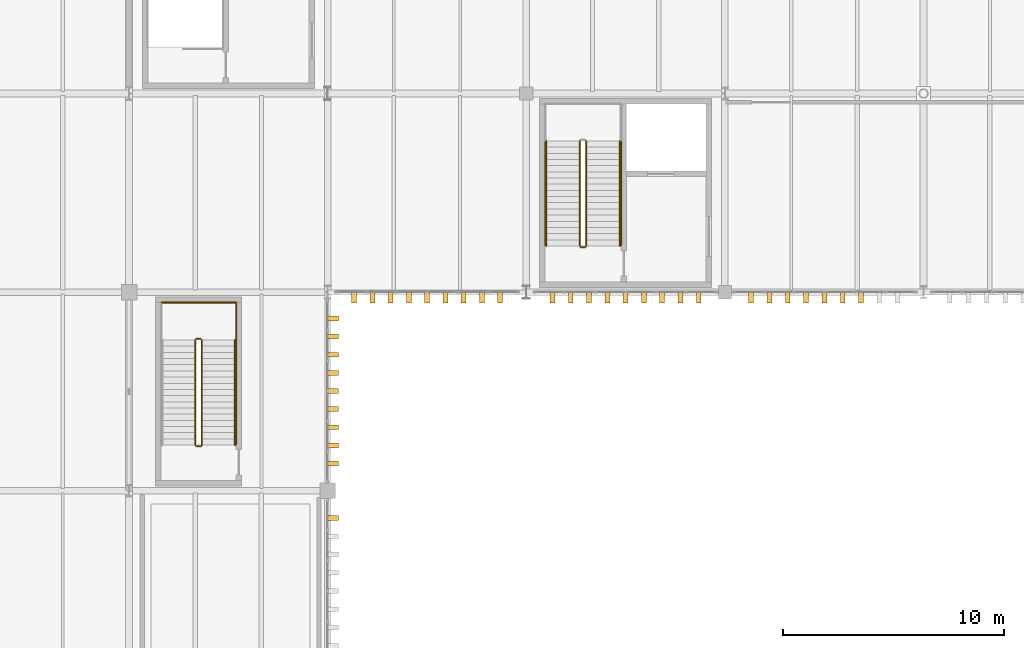
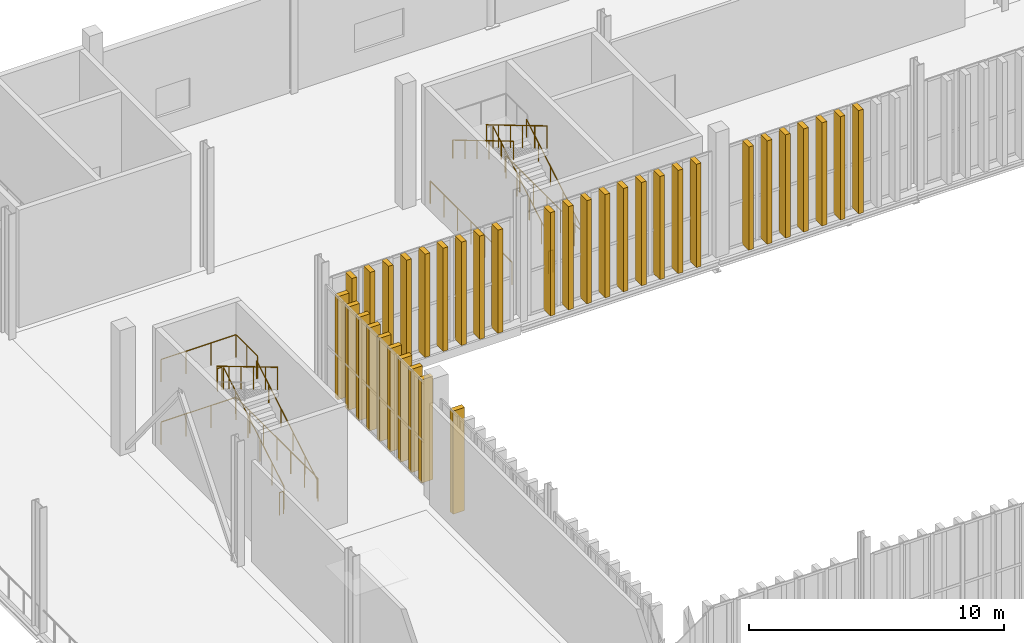
# One storey, part 204 of 211: 35 shading devices, 16 railings.
"""IFC4 building model written with IfcOpenShell, lengths in metres."""

from ifc_helpers import new_model, si_unit, direction, frame, origin, origin_2d, place, context, subcontext, project, spatial, rectangle, circle, extrude, material, type_object, element, save


model = new_model("IFC4")

# Units and contexts
model_context = context("Model", 3, precision=1e-05, world=origin(), true_north=direction((0.0, 1.0)))
body_context = subcontext(model_context, "Body", "Model", "MODEL_VIEW")
ifc_project = project(units=[si_unit("LENGTHUNIT", "METRE"), si_unit("AREAUNIT", "SQUARE_METRE"), si_unit("VOLUMEUNIT", "CUBIC_METRE"), si_unit("PLANEANGLEUNIT", "RADIAN"), si_unit("MASSUNIT", "GRAM", prefix="KILO")], contexts=[model_context])

# Site, building, storey
site_placement = place(None, origin())
site = spatial("IfcSite", under=ifc_project, at=site_placement, CompositionType="ELEMENT")
building_placement = place(site_placement, origin())
building = spatial("IfcBuilding", under=site, at=building_placement, Name="Barlavento Convention Centre", CompositionType="ELEMENT")
storey_placement = place(building_placement, frame((0.0, 0.0, 6.0)))
storey = spatial("IfcBuildingStorey", under=building, at=storey_placement, Name="L01", CompositionType="ELEMENT", Elevation=6.0)

# Railings
ifc_material_1 = material(Name="Stainless steel and laminated glass balustrade", Category="steel")
railing_type_1 = type_object("IfcRailingType", Name="ARC-RAL-BAL-1100", PredefinedType="BALUSTRADE", material=ifc_material_1)
railing_1_placement = place(storey_placement, frame((146.719970703125, 92.090087890625, 0.166748046875)))
element("IfcRailing", 1, at=railing_1_placement, inside=storey, type_object=railing_type_1, Name="L01 ST09 stair guard 1", PredefinedType="BALUSTRADE", context=body_context, shape_type="SweptSolid", body=[
    extrude(circle(Radius=0.02392578125, at=origin_2d()), frame((0.0, 0.0, 1.076171875), z_axis=(0.0, 0.859299802514, 0.511472237174), x_axis=(-1.0, 0.0, 0.0)), (0.0, 0.0, 1.0), 5.539306640625),
    extrude(circle(Radius=0.02099609375, at=origin_2d()), origin(), (0.0, 0.0, 1.0), 1.052001953125),
    extrude(circle(Radius=0.02099609375, at=origin_2d()), frame((0.0, 0.951904296875, 0.566650390625)), (0.0, 0.0, 1.0), 1.052001953125),
    extrude(circle(Radius=0.02099609375, at=origin_2d()), frame((0.0, 1.904052734375, 1.13330078125)), (0.0, 0.0, 1.0), 1.052001953125),
    extrude(circle(Radius=0.02099609375, at=origin_2d()), frame((0.0, 2.85595703125, 1.699951171875)), (0.0, 0.0, 1.0), 1.052001953125),
    extrude(circle(Radius=0.02099609375, at=origin_2d()), frame((0.0, 3.80810546875, 2.2666015625)), (0.0, 0.0, 1.0), 1.052001953125),
    extrude(circle(Radius=0.02099609375, at=origin_2d()), frame((0.0, 4.760009765625, 2.833251953125)), (0.0, 0.0, 1.0), 1.052001953125),
])
railing_2_placement = place(storey_placement, frame((146.419921875, 96.85009765625, 3.166748046875)))
element("IfcRailing", 2, at=railing_2_placement, inside=storey, type_object=railing_type_1, Name="L01 ST09 stair guard 3", PredefinedType="BALUSTRADE", context=body_context, shape_type="SweptSolid", body=[
    extrude(circle(Radius=0.02392578125, at=origin_2d()), frame((0.0, 0.0, 1.076171875), z_axis=(0.0, -0.859299802514, 0.511472237174), x_axis=(1.0, 0.0, 0.0)), (0.0, 0.0, 1.0), 5.539306640625),
    extrude(circle(Radius=0.02099609375, at=origin_2d()), origin(), (0.0, 0.0, 1.0), 1.052001953125),
    extrude(circle(Radius=0.02099609375, at=origin_2d()), frame((0.0, -0.951904296875, 0.566650390625)), (0.0, 0.0, 1.0), 1.052001953125),
    extrude(circle(Radius=0.02099609375, at=origin_2d()), frame((0.0, -1.904052734375, 1.13330078125)), (0.0, 0.0, 1.0), 1.052001953125),
    extrude(circle(Radius=0.02099609375, at=origin_2d()), frame((0.0, -2.85595703125, 1.699951171875)), (0.0, 0.0, 1.0), 1.052001953125),
    extrude(circle(Radius=0.02099609375, at=origin_2d()), frame((0.0, -3.80810546875, 2.2666015625)), (0.0, 0.0, 1.0), 1.052001953125),
    extrude(circle(Radius=0.02099609375, at=origin_2d()), frame((0.0, -4.760009765625, 2.833251953125)), (0.0, 0.0, 1.0), 1.052001953125),
])
railing_3_placement = place(storey_placement, frame((146.669921875, 92.0400390625, 0.0)))
element("IfcRailing", 3, at=railing_3_placement, inside=storey, type_object=railing_type_1, Name="L01 ST09 stair guard 4", PredefinedType="BALUSTRADE", context=body_context, shape_type="SweptSolid", body=[
    extrude(circle(Radius=0.02392578125, at=origin_2d()), frame((0.0, 0.0, 1.076171875), z_axis=(-1.0, 0.0, 0.0), x_axis=(0.0, -1.0, 0.0)), (0.0, 0.0, 1.0), 0.199951171875),
    extrude(circle(Radius=0.02099609375, at=origin_2d()), origin(), (0.0, 0.0, 1.0), 1.052001953125),
    extrude(circle(Radius=0.02099609375, at=origin_2d()), frame((-0.199951171875, 0.0, 0.0)), (0.0, 0.0, 1.0), 1.052001953125),
])
railing_4_placement = place(storey_placement, frame((148.2900390625, 92.114990234375, 0.0)))
element("IfcRailing", 4, at=railing_4_placement, inside=storey, type_object=railing_type_1, Name="L01 stairwell perimeter guard GR01", PredefinedType="BALUSTRADE", context=body_context, shape_type="SweptSolid", body=[
    extrude(circle(Radius=0.02392578125, at=origin_2d()), frame((0.0, 0.0, 1.076171875), z_axis=(0.0, 1.0, 0.0), x_axis=(-1.0, 0.0, 0.0)), (0.0, 0.0, 1.0), 6.4150390625),
    extrude(circle(Radius=0.02099609375, at=origin_2d()), origin(), (0.0, 0.0, 1.0), 1.052001953125),
    extrude(circle(Radius=0.02099609375, at=origin_2d()), frame((0.0, 1.069091796875, 0.0)), (0.0, 0.0, 1.0), 1.052001953125),
    extrude(circle(Radius=0.02099609375, at=origin_2d()), frame((0.0, 2.138427734375, 0.0)), (0.0, 0.0, 1.0), 1.052001953125),
    extrude(circle(Radius=0.02099609375, at=origin_2d()), frame((0.0, 3.20751953125, 0.0)), (0.0, 0.0, 1.0), 1.052001953125),
    extrude(circle(Radius=0.02099609375, at=origin_2d()), frame((0.0, 4.276611328125, 0.0)), (0.0, 0.0, 1.0), 1.052001953125),
    extrude(circle(Radius=0.02099609375, at=origin_2d()), frame((0.0, 5.345947265625, 0.0)), (0.0, 0.0, 1.0), 1.052001953125),
    extrude(circle(Radius=0.02099609375, at=origin_2d()), frame((0.0, 6.4150390625, 0.0)), (0.0, 0.0, 1.0), 1.052001953125),
])
railing_5_placement = place(storey_placement, frame((144.85009765625, 98.530029296875, 0.0)))
element("IfcRailing", 5, at=railing_5_placement, inside=storey, type_object=railing_type_1, Name="L01 stairwell perimeter guard GR01", PredefinedType="BALUSTRADE", context=body_context, shape_type="SweptSolid", body=[
    extrude(circle(Radius=0.02392578125, at=origin_2d()), frame((0.0, 0.0, 1.076171875), z_axis=(0.0, -1.0, 0.0), x_axis=(1.0, 0.0, 0.0)), (0.0, 0.0, 1.0), 6.4150390625),
    extrude(circle(Radius=0.02099609375, at=origin_2d()), origin(), (0.0, 0.0, 1.0), 1.052001953125),
    extrude(circle(Radius=0.02099609375, at=origin_2d()), frame((0.0, -1.069091796875, 0.0)), (0.0, 0.0, 1.0), 1.052001953125),
    extrude(circle(Radius=0.02099609375, at=origin_2d()), frame((0.0, -2.138427734375, 0.0)), (0.0, 0.0, 1.0), 1.052001953125),
    extrude(circle(Radius=0.02099609375, at=origin_2d()), frame((0.0, -3.20751953125, 0.0)), (0.0, 0.0, 1.0), 1.052001953125),
    extrude(circle(Radius=0.02099609375, at=origin_2d()), frame((0.0, -4.276611328125, 0.0)), (0.0, 0.0, 1.0), 1.052001953125),
    extrude(circle(Radius=0.02099609375, at=origin_2d()), frame((0.0, -5.345947265625, 0.0)), (0.0, 0.0, 1.0), 1.052001953125),
    extrude(circle(Radius=0.02099609375, at=origin_2d()), frame((0.0, -6.4150390625, 0.0)), (0.0, 0.0, 1.0), 1.052001953125),
])
railing_6_placement = place(storey_placement, frame((129.300048828125, 83.070068359375, 0.166748046875)))
element("IfcRailing", 6, at=railing_6_placement, inside=storey, type_object=railing_type_1, Name="L01 ST12 stair guard 1", PredefinedType="BALUSTRADE", context=body_context, shape_type="SweptSolid", body=[
    extrude(circle(Radius=0.02392578125, at=origin_2d()), frame((0.0, 0.0, 1.076171875), z_axis=(0.0, 0.859299802514, 0.511472237174), x_axis=(-1.0, 0.0, 0.0)), (0.0, 0.0, 1.0), 5.539306640625),
    extrude(circle(Radius=0.02099609375, at=origin_2d()), origin(), (0.0, 0.0, 1.0), 1.052001953125),
    extrude(circle(Radius=0.02099609375, at=origin_2d()), frame((0.0, 0.951904296875, 0.566650390625)), (0.0, 0.0, 1.0), 1.052001953125),
    extrude(circle(Radius=0.02099609375, at=origin_2d()), frame((0.0, 1.904052734375, 1.13330078125)), (0.0, 0.0, 1.0), 1.052001953125),
    extrude(circle(Radius=0.02099609375, at=origin_2d()), frame((0.0, 2.85595703125, 1.699951171875)), (0.0, 0.0, 1.0), 1.052001953125),
    extrude(circle(Radius=0.02099609375, at=origin_2d()), frame((0.0, 3.80810546875, 2.2666015625)), (0.0, 0.0, 1.0), 1.052001953125),
    extrude(circle(Radius=0.02099609375, at=origin_2d()), frame((0.0, 4.760009765625, 2.833251953125)), (0.0, 0.0, 1.0), 1.052001953125),
])
railing_7_placement = place(storey_placement, frame((129.25, 87.8798828125, 3.0)))
element("IfcRailing", 7, at=railing_7_placement, inside=storey, type_object=railing_type_1, Name="L01 ST12 stair guard 2", PredefinedType="BALUSTRADE", context=body_context, shape_type="SweptSolid", body=[
    extrude(circle(Radius=0.02392578125, at=origin_2d()), frame((0.0, 0.0, 1.076171875), z_axis=(-1.0, 0.0, 0.0), x_axis=(0.0, -1.0, 0.0)), (0.0, 0.0, 1.0), 0.199951171875),
    extrude(circle(Radius=0.02099609375, at=origin_2d()), origin(), (0.0, 0.0, 1.0), 1.052001953125),
    extrude(circle(Radius=0.02099609375, at=origin_2d()), frame((-0.199951171875, 0.0, 0.0)), (0.0, 0.0, 1.0), 1.052001953125),
])
railing_8_placement = place(storey_placement, frame((129.0, 87.830078125, 3.166748046875)))
element("IfcRailing", 8, at=railing_8_placement, inside=storey, type_object=railing_type_1, Name="L01 ST12 stair guard 3", PredefinedType="BALUSTRADE", context=body_context, shape_type="SweptSolid", body=[
    extrude(circle(Radius=0.02392578125, at=origin_2d()), frame((0.0, 0.0, 1.076171875), z_axis=(0.0, -0.859299802514, 0.511472237174), x_axis=(1.0, 0.0, 0.0)), (0.0, 0.0, 1.0), 5.539306640625),
    extrude(circle(Radius=0.02099609375, at=origin_2d()), origin(), (0.0, 0.0, 1.0), 1.052001953125),
    extrude(circle(Radius=0.02099609375, at=origin_2d()), frame((0.0, -0.951904296875, 0.566650390625)), (0.0, 0.0, 1.0), 1.052001953125),
    extrude(circle(Radius=0.02099609375, at=origin_2d()), frame((0.0, -1.904052734375, 1.13330078125)), (0.0, 0.0, 1.0), 1.052001953125),
    extrude(circle(Radius=0.02099609375, at=origin_2d()), frame((0.0, -2.85595703125, 1.699951171875)), (0.0, 0.0, 1.0), 1.052001953125),
    extrude(circle(Radius=0.02099609375, at=origin_2d()), frame((0.0, -3.80810546875, 2.2666015625)), (0.0, 0.0, 1.0), 1.052001953125),
    extrude(circle(Radius=0.02099609375, at=origin_2d()), frame((0.0, -4.760009765625, 2.833251953125)), (0.0, 0.0, 1.0), 1.052001953125),
])
railing_9_placement = place(storey_placement, frame((129.25, 83.02001953125, 0.0)))
element("IfcRailing", 9, at=railing_9_placement, inside=storey, type_object=railing_type_1, Name="L01 ST12 stair guard 4", PredefinedType="BALUSTRADE", context=body_context, shape_type="SweptSolid", body=[
    extrude(circle(Radius=0.02392578125, at=origin_2d()), frame((0.0, 0.0, 1.076171875), z_axis=(-1.0, 0.0, 0.0), x_axis=(0.0, -1.0, 0.0)), (0.0, 0.0, 1.0), 0.199951171875),
    extrude(circle(Radius=0.02099609375, at=origin_2d()), origin(), (0.0, 0.0, 1.0), 1.052001953125),
    extrude(circle(Radius=0.02099609375, at=origin_2d()), frame((-0.199951171875, 0.0, 0.0)), (0.0, 0.0, 1.0), 1.052001953125),
])
railing_10_placement = place(storey_placement, frame((130.85009765625, 87.830078125, 3.0)))
element("IfcRailing", 10, at=railing_10_placement, inside=storey, type_object=railing_type_1, Name="L01 landing guard GR01", PredefinedType="BALUSTRADE", context=body_context, shape_type="SweptSolid", body=[
    extrude(circle(Radius=0.02392578125, at=origin_2d()), frame((0.0, 0.0, 1.076171875), z_axis=(0.0, 1.0, 0.0), x_axis=(-1.0, 0.0, 0.0)), (0.0, 0.0, 1.0), 1.699951171875),
    extrude(circle(Radius=0.02099609375, at=origin_2d()), origin(), (0.0, 0.0, 1.0), 1.052001953125),
    extrude(circle(Radius=0.02099609375, at=origin_2d()), frame((0.0, 0.85009765625, 0.0)), (0.0, 0.0, 1.0), 1.052001953125),
    extrude(circle(Radius=0.02099609375, at=origin_2d()), frame((0.0, 1.699951171875, 0.0)), (0.0, 0.0, 1.0), 1.052001953125),
])
railing_11_placement = place(storey_placement, frame((130.85009765625, 89.530029296875, 3.0)))
element("IfcRailing", 11, at=railing_11_placement, inside=storey, type_object=railing_type_1, Name="L01 landing guard GR01", PredefinedType="BALUSTRADE", context=body_context, shape_type="SweptSolid", body=[
    extrude(circle(Radius=0.02392578125, at=origin_2d()), frame((0.0, 0.0, 1.076171875), z_axis=(-1.0, 0.0, 0.0), x_axis=(0.0, -1.0, 0.0)), (0.0, 0.0, 1.0), 3.400146484375),
    extrude(circle(Radius=0.02099609375, at=origin_2d()), origin(), (0.0, 0.0, 1.0), 1.052001953125),
    extrude(circle(Radius=0.02099609375, at=origin_2d()), frame((-1.13330078125, 0.0, 0.0)), (0.0, 0.0, 1.0), 1.052001953125),
    extrude(circle(Radius=0.02099609375, at=origin_2d()), frame((-2.266845703125, 0.0, 0.0)), (0.0, 0.0, 1.0), 1.052001953125),
    extrude(circle(Radius=0.02099609375, at=origin_2d()), frame((-3.400146484375, 0.0, 0.0)), (0.0, 0.0, 1.0), 1.052001953125),
])
railing_12_placement = place(storey_placement, frame((130.85009765625, 83.094970703125, 0.0)))
element("IfcRailing", 12, at=railing_12_placement, inside=storey, type_object=railing_type_1, Name="L01 stairwell perimeter guard GR01", PredefinedType="BALUSTRADE", context=body_context, shape_type="SweptSolid", body=[
    extrude(circle(Radius=0.02392578125, at=origin_2d()), frame((0.0, 0.0, 1.076171875), z_axis=(0.0, 1.0, 0.0), x_axis=(-1.0, 0.0, 0.0)), (0.0, 0.0, 1.0), 6.43505859375),
    extrude(circle(Radius=0.02099609375, at=origin_2d()), origin(), (0.0, 0.0, 1.0), 1.052001953125),
    extrude(circle(Radius=0.02099609375, at=origin_2d()), frame((0.0, 1.072509765625, 0.0)), (0.0, 0.0, 1.0), 1.052001953125),
    extrude(circle(Radius=0.02099609375, at=origin_2d()), frame((0.0, 2.14501953125, 0.0)), (0.0, 0.0, 1.0), 1.052001953125),
    extrude(circle(Radius=0.02099609375, at=origin_2d()), frame((0.0, 3.217529296875, 0.0)), (0.0, 0.0, 1.0), 1.052001953125),
    extrude(circle(Radius=0.02099609375, at=origin_2d()), frame((0.0, 4.2900390625, 0.0)), (0.0, 0.0, 1.0), 1.052001953125),
    extrude(circle(Radius=0.02099609375, at=origin_2d()), frame((0.0, 5.362548828125, 0.0)), (0.0, 0.0, 1.0), 1.052001953125),
    extrude(circle(Radius=0.02099609375, at=origin_2d()), frame((0.0, 6.43505859375, 0.0)), (0.0, 0.0, 1.0), 1.052001953125),
])
railing_13_placement = place(storey_placement, frame((130.85009765625, 89.530029296875, 0.0)))
element("IfcRailing", 13, at=railing_13_placement, inside=storey, type_object=railing_type_1, Name="L01 stairwell perimeter guard GR01", PredefinedType="BALUSTRADE", context=body_context, shape_type="SweptSolid", body=[
    extrude(circle(Radius=0.02392578125, at=origin_2d()), frame((0.0, 0.0, 1.076171875), z_axis=(-1.0, 0.0, 0.0), x_axis=(0.0, -1.0, 0.0)), (0.0, 0.0, 1.0), 3.400146484375),
    extrude(circle(Radius=0.02099609375, at=origin_2d()), origin(), (0.0, 0.0, 1.0), 1.052001953125),
    extrude(circle(Radius=0.02099609375, at=origin_2d()), frame((-1.13330078125, 0.0, 0.0)), (0.0, 0.0, 1.0), 1.052001953125),
    extrude(circle(Radius=0.02099609375, at=origin_2d()), frame((-2.266845703125, 0.0, 0.0)), (0.0, 0.0, 1.0), 1.052001953125),
    extrude(circle(Radius=0.02099609375, at=origin_2d()), frame((-3.400146484375, 0.0, 0.0)), (0.0, 0.0, 1.0), 1.052001953125),
])
ifc_material_2 = material(Name="Brushed stainless steel tubular handrail", Category="steel")
railing_type_2 = type_object("IfcRailingType", Name="ARC-RAL-HR-900", PredefinedType="HANDRAIL", material=ifc_material_2)
railing_14_placement = place(storey_placement, frame((148.239990234375, 92.090087890625, 0.166748046875)))
element("IfcRailing", 14, at=railing_14_placement, inside=storey, type_object=railing_type_2, Name="L01 ST09 stair handrail 1", PredefinedType="HANDRAIL", context=body_context, shape_type="SweptSolid", body=[
    extrude(circle(Radius=0.02392578125, at=origin_2d()), frame((0.0, 0.0, 0.8759765625), z_axis=(0.0, 0.859299802514, 0.511472237174), x_axis=(-1.0, 0.0, 0.0)), (0.0, 0.0, 1.0), 5.539306640625),
    extrude(circle(Radius=0.02099609375, at=origin_2d()), origin(), (0.0, 0.0, 1.0), 0.851806640625),
    extrude(circle(Radius=0.02099609375, at=origin_2d()), frame((0.0, 0.951904296875, 0.566650390625)), (0.0, 0.0, 1.0), 0.851806640625),
    extrude(circle(Radius=0.02099609375, at=origin_2d()), frame((0.0, 1.904052734375, 1.13330078125)), (0.0, 0.0, 1.0), 0.851806640625),
    extrude(circle(Radius=0.02099609375, at=origin_2d()), frame((0.0, 2.85595703125, 1.699951171875)), (0.0, 0.0, 1.0), 0.851806640625),
    extrude(circle(Radius=0.02099609375, at=origin_2d()), frame((0.0, 3.80810546875, 2.2666015625)), (0.0, 0.0, 1.0), 0.851806640625),
    extrude(circle(Radius=0.02099609375, at=origin_2d()), frame((0.0, 4.760009765625, 2.833251953125)), (0.0, 0.0, 1.0), 0.851806640625),
])
railing_15_placement = place(storey_placement, frame((144.89990234375, 96.85009765625, 3.166748046875)))
element("IfcRailing", 15, at=railing_15_placement, inside=storey, type_object=railing_type_2, Name="L01 ST09 stair handrail 2", PredefinedType="HANDRAIL", context=body_context, shape_type="SweptSolid", body=[
    extrude(circle(Radius=0.02392578125, at=origin_2d()), frame((0.0, 0.0, 0.8759765625), z_axis=(0.0, -0.859299802514, 0.511472237174), x_axis=(1.0, 0.0, 0.0)), (0.0, 0.0, 1.0), 5.539306640625),
    extrude(circle(Radius=0.02099609375, at=origin_2d()), origin(), (0.0, 0.0, 1.0), 0.851806640625),
    extrude(circle(Radius=0.02099609375, at=origin_2d()), frame((0.0, -0.951904296875, 0.566650390625)), (0.0, 0.0, 1.0), 0.851806640625),
    extrude(circle(Radius=0.02099609375, at=origin_2d()), frame((0.0, -1.904052734375, 1.13330078125)), (0.0, 0.0, 1.0), 0.851806640625),
    extrude(circle(Radius=0.02099609375, at=origin_2d()), frame((0.0, -2.85595703125, 1.699951171875)), (0.0, 0.0, 1.0), 0.851806640625),
    extrude(circle(Radius=0.02099609375, at=origin_2d()), frame((0.0, -3.80810546875, 2.2666015625)), (0.0, 0.0, 1.0), 0.851806640625),
    extrude(circle(Radius=0.02099609375, at=origin_2d()), frame((0.0, -4.760009765625, 2.833251953125)), (0.0, 0.0, 1.0), 0.851806640625),
])
railing_16_placement = place(storey_placement, frame((130.800048828125, 83.070068359375, 0.166748046875)))
element("IfcRailing", 16, at=railing_16_placement, inside=storey, type_object=railing_type_2, Name="L01 ST12 stair handrail 1", PredefinedType="HANDRAIL", context=body_context, shape_type="SweptSolid", body=[
    extrude(circle(Radius=0.02392578125, at=origin_2d()), frame((0.0, 0.0, 0.8759765625), z_axis=(0.0, 0.859299802514, 0.511472237174), x_axis=(-1.0, 0.0, 0.0)), (0.0, 0.0, 1.0), 5.539306640625),
    extrude(circle(Radius=0.02099609375, at=origin_2d()), origin(), (0.0, 0.0, 1.0), 0.851806640625),
    extrude(circle(Radius=0.02099609375, at=origin_2d()), frame((0.0, 0.951904296875, 0.566650390625)), (0.0, 0.0, 1.0), 0.851806640625),
    extrude(circle(Radius=0.02099609375, at=origin_2d()), frame((0.0, 1.904052734375, 1.13330078125)), (0.0, 0.0, 1.0), 0.851806640625),
    extrude(circle(Radius=0.02099609375, at=origin_2d()), frame((0.0, 2.85595703125, 1.699951171875)), (0.0, 0.0, 1.0), 0.851806640625),
    extrude(circle(Radius=0.02099609375, at=origin_2d()), frame((0.0, 3.80810546875, 2.2666015625)), (0.0, 0.0, 1.0), 0.851806640625),
    extrude(circle(Radius=0.02099609375, at=origin_2d()), frame((0.0, 4.760009765625, 2.833251953125)), (0.0, 0.0, 1.0), 0.851806640625),
])

# Shading devices
ifc_material_3 = material(Name="PVDF white extruded aluminium", Category="aluminium")
shading_device_type = type_object("IfcShadingDeviceType", Name="ARC-SHD-FIN-480", PredefinedType="USERDEFINED", material=ifc_material_3)
for number, where, z_axis, x_axis, name in (
    (17, (136.197021484375, 89.760009765625, 0.0), (0.0, 0.0, 1.0), (1.0, 0.0, 0.0), "White vertical solar shading fin VF01"),
    (18, (137.02392578125, 89.760009765625, 0.0), (0.0, 0.0, 1.0), (1.0, 0.0, 0.0), "White vertical solar shading fin VF01"),
    (19, (137.85107421875, 89.760009765625, 0.0), (0.0, 0.0, 1.0), (1.0, 0.0, 0.0), "White vertical solar shading fin VF01"),
    (20, (138.677978515625, 89.760009765625, 0.0), (0.0, 0.0, 1.0), (1.0, 0.0, 0.0), "White vertical solar shading fin VF01"),
    (21, (139.5048828125, 89.760009765625, 0.0), (0.0, 0.0, 1.0), (1.0, 0.0, 0.0), "White vertical solar shading fin VF01"),
    (22, (140.33203125, 89.760009765625, 0.0), (0.0, 0.0, 1.0), (1.0, 0.0, 0.0), "White vertical solar shading fin VF01"),
    (23, (141.158935546875, 89.760009765625, 0.0), (0.0, 0.0, 1.0), (1.0, 0.0, 0.0), "White vertical solar shading fin VF01"),
    (24, (141.986083984375, 89.760009765625, 0.0), (0.0, 0.0, 1.0), (1.0, 0.0, 0.0), "White vertical solar shading fin VF01"),
    (25, (142.81298828125, 89.760009765625, 0.0), (0.0, 0.0, 1.0), (1.0, 0.0, 0.0), "White vertical solar shading fin VF01"),
    (26, (145.18798828125, 89.760009765625, 0.0), (0.0, 0.0, 1.0), (1.0, 0.0, 0.0), "White vertical solar shading fin VF01"),
    (27, (146.01611328125, 89.760009765625, 0.0), (0.0, 0.0, 1.0), (1.0, 0.0, 0.0), "White vertical solar shading fin VF01"),
    (28, (146.843994140625, 89.760009765625, 0.0), (0.0, 0.0, 1.0), (1.0, 0.0, 0.0), "White vertical solar shading fin VF01"),
    (29, (147.672119140625, 89.760009765625, 0.0), (0.0, 0.0, 1.0), (1.0, 0.0, 0.0), "White vertical solar shading fin VF01"),
    (30, (148.5, 89.760009765625, 0.0), (0.0, 0.0, 1.0), (1.0, 0.0, 0.0), "White vertical solar shading fin VF01"),
    (31, (149.327880859375, 89.760009765625, 0.0), (0.0, 0.0, 1.0), (1.0, 0.0, 0.0), "White vertical solar shading fin VF01"),
    (32, (150.156005859375, 89.760009765625, 0.0), (0.0, 0.0, 1.0), (1.0, 0.0, 0.0), "White vertical solar shading fin VF01"),
    (33, (150.98388671875, 89.760009765625, 0.0), (0.0, 0.0, 1.0), (1.0, 0.0, 0.0), "White vertical solar shading fin VF01"),
    (34, (151.81201171875, 89.760009765625, 0.0), (0.0, 0.0, 1.0), (1.0, 0.0, 0.0), "White vertical solar shading fin VF01"),
    (35, (154.189453125, 89.760009765625, 0.0), (0.0, 0.0, 1.0), (1.0, 0.0, 0.0), "White vertical solar shading fin VF01"),
    (36, (155.018798828125, 89.760009765625, 0.0), (0.0, 0.0, 1.0), (1.0, 0.0, 0.0), "White vertical solar shading fin VF01"),
    (37, (155.84814453125, 89.760009765625, 0.0), (0.0, 0.0, 1.0), (1.0, 0.0, 0.0), "White vertical solar shading fin VF01"),
    (38, (156.677490234375, 89.760009765625, 0.0), (0.0, 0.0, 1.0), (1.0, 0.0, 0.0), "White vertical solar shading fin VF01"),
    (39, (157.507080078125, 89.760009765625, 0.0), (0.0, 0.0, 1.0), (1.0, 0.0, 0.0), "White vertical solar shading fin VF01"),
    (40, (158.33642578125, 89.760009765625, 0.0), (0.0, 0.0, 1.0), (1.0, 0.0, 0.0), "White vertical solar shading fin VF01"),
    (41, (159.165771484375, 89.760009765625, 0.0), (0.0, 0.0, 1.0), (1.0, 0.0, 0.0), "White vertical solar shading fin VF01"),
    (42, (135.239990234375, 79.76318359375, 0.0), (0.0, 0.0, 1.0), (0.0, 1.0, 0.0), "White vertical solar shading fin VF01"),
    (43, (135.239990234375, 82.23193359375, 0.0), (0.0, 0.0, 1.0), (0.0, 1.0, 0.0), "White vertical solar shading fin VF01"),
    (44, (135.239990234375, 83.053955078125, 0.0), (0.0, 0.0, 1.0), (0.0, 1.0, 0.0), "White vertical solar shading fin VF01"),
    (45, (135.239990234375, 83.8759765625, 0.0), (0.0, 0.0, 1.0), (0.0, 1.0, 0.0), "White vertical solar shading fin VF01"),
    (46, (135.239990234375, 84.697998046875, 0.0), (0.0, 0.0, 1.0), (0.0, 1.0, 0.0), "White vertical solar shading fin VF01"),
    (47, (135.239990234375, 85.52001953125, 0.0), (0.0, 0.0, 1.0), (0.0, 1.0, 0.0), "White vertical solar shading fin VF01"),
    (48, (135.239990234375, 86.342041015625, 0.0), (0.0, 0.0, 1.0), (0.0, 1.0, 0.0), "White vertical solar shading fin VF01"),
    (49, (135.239990234375, 87.1640625, 0.0), (0.0, 0.0, 1.0), (0.0, 1.0, 0.0), "White vertical solar shading fin VF01"),
    (50, (135.239990234375, 87.986083984375, 0.0), (0.0, 0.0, 1.0), (0.0, 1.0, 0.0), "White vertical solar shading fin VF01"),
    (51, (135.239990234375, 88.80810546875, 0.0), (0.0, 0.0, 1.0), (0.0, 1.0, 0.0), "White vertical solar shading fin VF01"),
):
    element("IfcShadingDevice", number, at=place(storey_placement, frame(where, z_axis=z_axis, x_axis=x_axis)), inside=storey, type_object=shading_device_type, Name=name, ObjectType="FIN", PredefinedType="USERDEFINED", context=body_context, shape_type="SweptSolid", body=[
        extrude(rectangle(XDim=0.219970703125, YDim=0.52001953125, at=origin_2d()), origin(), (0.0, 0.0, 1.0), 4.949951171875),
    ])

save(model, "model.ifc")
